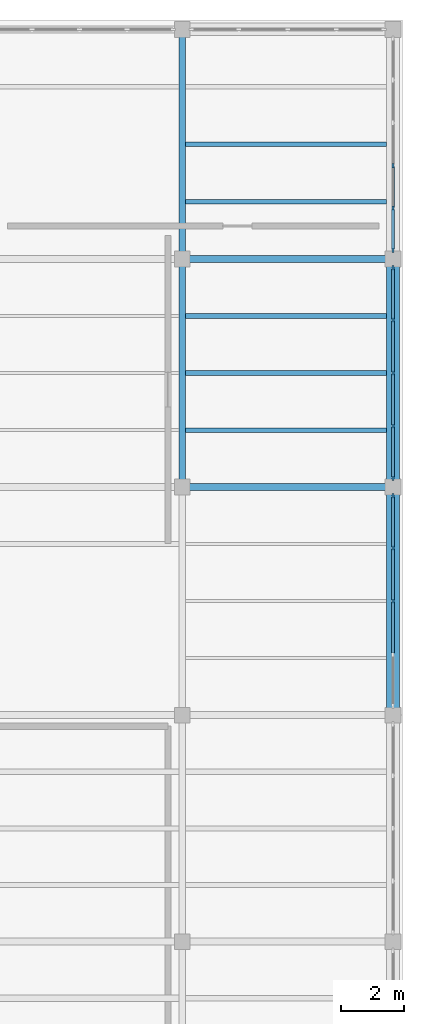
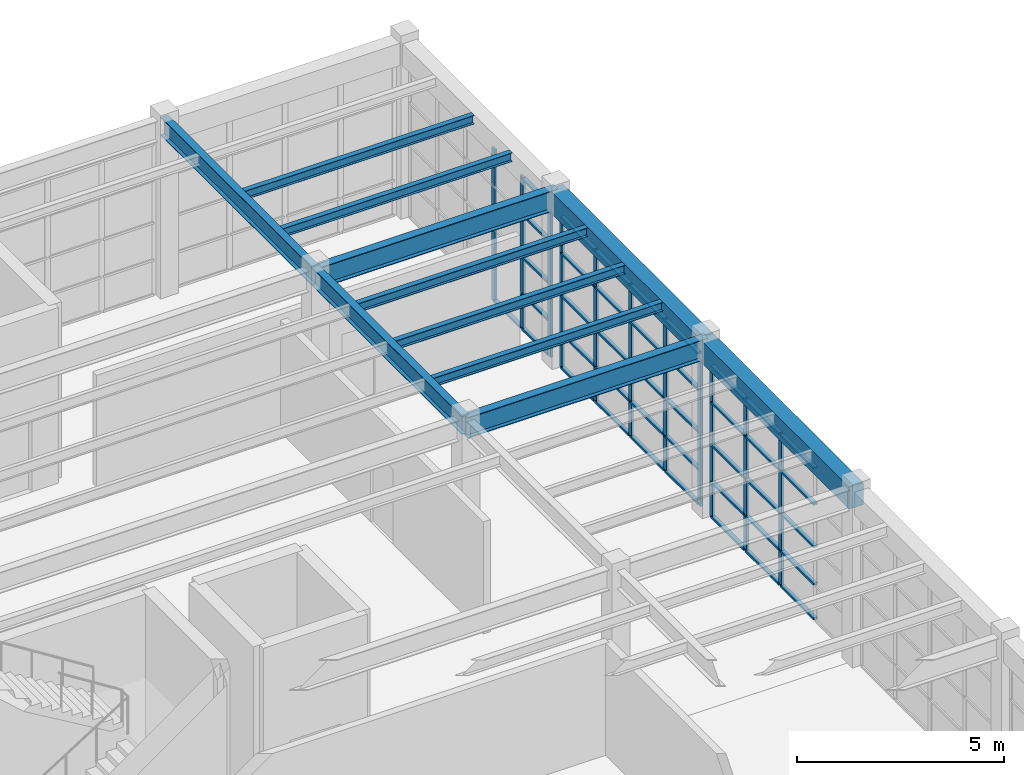
# One storey, part 59 of 103: 52 members, 11 beams, 3 elements without a shape of their own.
"""IFC4 building model written with IfcOpenShell, lengths in metres."""

from ifc_helpers import new_model, si_unit, direction, frame, origin, origin_2d, place, context, subcontext, project, spatial, rectangle, i_section, extrude, material, layer, layer_set, material_profile, profile_set, type_object, element, aggregate, save


model = new_model("IFC4")

# Units and contexts
model_context = context("Model", 3, precision=1e-05, world=origin(), true_north=direction((0.0, 1.0)))
body_context = subcontext(model_context, "Body", "Model", "MODEL_VIEW")
ifc_project = project(units=[si_unit("LENGTHUNIT", "METRE"), si_unit("AREAUNIT", "SQUARE_METRE"), si_unit("VOLUMEUNIT", "CUBIC_METRE"), si_unit("PLANEANGLEUNIT", "RADIAN"), si_unit("MASSUNIT", "GRAM", prefix="KILO")], contexts=[model_context])

# Site, building, storey
site_placement = place(None, origin())
site = spatial("IfcSite", under=ifc_project, at=site_placement, CompositionType="ELEMENT")
building_placement = place(site_placement, origin())
building = spatial("IfcBuilding", under=site, at=building_placement, Name="Candilejo Ridge Gondola Terminal", CompositionType="ELEMENT")
storey_placement = place(building_placement, frame((0.0, 0.0, 9.0)))
storey = spatial("IfcBuildingStorey", under=building, at=storey_placement, Name="L02", CompositionType="ELEMENT", Elevation=9.0)

# Curtain wall, members
ifc_material_1 = material(Name="Anodised aluminium AA 6063-T6", Category="aluminium")
ifc_layer_1 = layer(ifc_material_1, 0.169921875)
ifc_layer_set_1 = layer_set([ifc_layer_1], Name="ARC-CW-TOWER-3000-675X449")
curtain_wall_type_1 = type_object("IfcCurtainWallType", Name="ARC-CW-TOWER-3000-675X449", PredefinedType="NOTDEFINED", material=ifc_layer_set_1)
curtain_wall_1_placement = place(storey_placement, origin())
curtain_wall_1 = element("IfcCurtainWall", 1, at=curtain_wall_1_placement, inside=storey, type_object=curtain_wall_type_1, Name="Curtain wall V5 L02-187", PredefinedType="NOTDEFINED")
ifc_material_2 = material(Name="Anodised aluminium AA 6063-T6", Category="aluminium")
ifc_material_profile_1 = material_profile(ifc_material_2, rectangle(XDim=0.06494140625, YDim=0.14990234375, at=origin_2d()))
ifc_profile_set_1 = profile_set([ifc_material_profile_1], Name="Anodised aluminium AA 6063-T6")
member_type_1 = type_object("IfcMemberType", Name="ARC-CW-MULLION-150", PredefinedType="MULLION", material=ifc_profile_set_1)
member_1_placement = place(storey_placement, frame((175.300048828125, 102.675048828125, 0.0), z_axis=(0.0, 0.0, 1.0), x_axis=(-1.0, 0.0, 0.0)))
member_1 = element("IfcMember", 2, at=member_1_placement, type_object=member_type_1, Name="CW-67X44 mullion 3", PredefinedType="MULLION", context=body_context, shape_type="SweptSolid", body=[
    extrude(rectangle(XDim=0.06494140625, YDim=0.14990234375, at=origin_2d()), origin(), (0.0, 0.0, 1.0), 4.489990234375),
])
member_2_placement = place(storey_placement, frame((175.300048828125, 104.362548828125, 0.0), z_axis=(0.0, 0.0, 1.0), x_axis=(-1.0, 0.0, 0.0)))
member_2 = element("IfcMember", 3, at=member_2_placement, type_object=member_type_1, Name="CW-67X44 mullion 4", PredefinedType="MULLION", context=body_context, shape_type="SweptSolid", body=[
    extrude(rectangle(XDim=0.06494140625, YDim=0.14990234375, at=origin_2d()), origin(), (0.0, 0.0, 1.0), 4.489990234375),
])
member_3_placement = place(storey_placement, frame((175.300048828125, 106.017578125, 0.0), z_axis=(0.0, 0.0, 1.0), x_axis=(-1.0, 0.0, 0.0)))
member_3 = element("IfcMember", 4, at=member_3_placement, type_object=member_type_1, Name="CW-67X44 mullion 5", PredefinedType="MULLION", context=body_context, shape_type="SweptSolid", body=[
    extrude(rectangle(XDim=0.06494140625, YDim=0.14990234375, at=origin_2d()), origin(), (0.0, 0.0, 1.0), 4.489990234375),
])

curtain_wall_2_placement = place(storey_placement, origin())
curtain_wall_2 = element("IfcCurtainWall", 5, at=curtain_wall_2_placement, inside=storey, type_object=curtain_wall_type_1, Name="Curtain wall V5 L02-189", PredefinedType="NOTDEFINED")
member_4_placement = place(storey_placement, frame((175.300048828125, 106.58251953125, 0.0), z_axis=(0.0, 0.0, 1.0), x_axis=(-1.0, 0.0, 0.0)))
member_4 = element("IfcMember", 6, at=member_4_placement, type_object=member_type_1, Name="CW-67X44 mullion 1", PredefinedType="MULLION", context=body_context, shape_type="SweptSolid", body=[
    extrude(rectangle(XDim=0.06494140625, YDim=0.14990234375, at=origin_2d()), origin(), (0.0, 0.0, 1.0), 4.489990234375),
])
member_5_placement = place(storey_placement, frame((175.300048828125, 108.237548828125, 0.0), z_axis=(0.0, 0.0, 1.0), x_axis=(-1.0, 0.0, 0.0)))
member_5 = element("IfcMember", 7, at=member_5_placement, type_object=member_type_1, Name="CW-67X44 mullion 2", PredefinedType="MULLION", context=body_context, shape_type="SweptSolid", body=[
    extrude(rectangle(XDim=0.06494140625, YDim=0.14990234375, at=origin_2d()), origin(), (0.0, 0.0, 1.0), 4.489990234375),
])
member_6_placement = place(storey_placement, frame((175.300048828125, 109.925048828125, 0.0), z_axis=(0.0, 0.0, 1.0), x_axis=(-1.0, 0.0, 0.0)))
member_6 = element("IfcMember", 8, at=member_6_placement, type_object=member_type_1, Name="CW-67X44 mullion 3", PredefinedType="MULLION", context=body_context, shape_type="SweptSolid", body=[
    extrude(rectangle(XDim=0.06494140625, YDim=0.14990234375, at=origin_2d()), origin(), (0.0, 0.0, 1.0), 4.489990234375),
])
member_7_placement = place(storey_placement, frame((175.300048828125, 111.612548828125, 0.0), z_axis=(0.0, 0.0, 1.0), x_axis=(-1.0, 0.0, 0.0)))
member_7 = element("IfcMember", 9, at=member_7_placement, type_object=member_type_1, Name="CW-67X44 mullion 4", PredefinedType="MULLION", context=body_context, shape_type="SweptSolid", body=[
    extrude(rectangle(XDim=0.06494140625, YDim=0.14990234375, at=origin_2d()), origin(), (0.0, 0.0, 1.0), 4.489990234375),
])
member_8_placement = place(storey_placement, frame((175.300048828125, 113.267578125, 0.0), z_axis=(0.0, 0.0, 1.0), x_axis=(-1.0, 0.0, 0.0)))
member_8 = element("IfcMember", 10, at=member_8_placement, type_object=member_type_1, Name="CW-67X44 mullion 5", PredefinedType="MULLION", context=body_context, shape_type="SweptSolid", body=[
    extrude(rectangle(XDim=0.06494140625, YDim=0.14990234375, at=origin_2d()), origin(), (0.0, 0.0, 1.0), 4.489990234375),
])

ifc_material_3 = material(Name="Anodised aluminium AA 6063-T6", Category="aluminium")
ifc_layer_2 = layer(ifc_material_3, 0.169921875)
ifc_layer_set_2 = layer_set([ifc_layer_2], Name="ARC-CW-TOWER-3000-680X449")
curtain_wall_type_2 = type_object("IfcCurtainWallType", Name="ARC-CW-TOWER-3000-680X449", PredefinedType="NOTDEFINED", material=ifc_layer_set_2)
curtain_wall_3_placement = place(storey_placement, origin())
curtain_wall_3 = element("IfcCurtainWall", 11, at=curtain_wall_3_placement, inside=storey, type_object=curtain_wall_type_2, Name="Curtain wall V5 L02-191", PredefinedType="NOTDEFINED")
member_9_placement = place(storey_placement, frame((175.300048828125, 113.83251953125, 0.0), z_axis=(0.0, 0.0, 1.0), x_axis=(-1.0, 0.0, 0.0)))
member_9 = element("IfcMember", 12, at=member_9_placement, type_object=member_type_1, Name="CW-68X44 mullion 1", PredefinedType="MULLION", context=body_context, shape_type="SweptSolid", body=[
    extrude(rectangle(XDim=0.06494140625, YDim=0.14990234375, at=origin_2d()), origin(), (0.0, 0.0, 1.0), 4.489990234375),
])
member_10_placement = place(storey_placement, frame((175.300048828125, 115.159912109375, 0.0), z_axis=(0.0, 0.0, 1.0), x_axis=(-1.0, 0.0, 0.0)))
member_10 = element("IfcMember", 13, at=member_10_placement, type_object=member_type_1, Name="CW-68X44 mullion 2", PredefinedType="MULLION", context=body_context, shape_type="SweptSolid", body=[
    extrude(rectangle(XDim=0.06494140625, YDim=0.14990234375, at=origin_2d()), origin(), (0.0, 0.0, 1.0), 4.489990234375),
])
member_11_placement = place(storey_placement, frame((175.300048828125, 116.52001953125, 0.0), z_axis=(0.0, 0.0, 1.0), x_axis=(-1.0, 0.0, 0.0)))
member_11 = element("IfcMember", 14, at=member_11_placement, type_object=member_type_1, Name="CW-68X44 mullion 3", PredefinedType="MULLION", context=body_context, shape_type="SweptSolid", body=[
    extrude(rectangle(XDim=0.06494140625, YDim=0.14990234375, at=origin_2d()), origin(), (0.0, 0.0, 1.0), 4.489990234375),
])

# Member
ifc_material_4 = material(Name="Anodised aluminium AA 6063-T6", Category="aluminium")
ifc_material_profile_2 = material_profile(ifc_material_4, rectangle(XDim=0.110107421875, YDim=0.06005859375, at=origin_2d()))
ifc_profile_set_2 = profile_set([ifc_material_profile_2], Name="Anodised aluminium AA 6063-T6")
member_type_2 = type_object("IfcMemberType", Name="ARC-CW-TRANSOM-110", PredefinedType="USERDEFINED", material=ifc_profile_set_2)
member_12_placement = place(storey_placement, frame((175.300048828125, 101.02001953125, 0.030029296875), z_axis=(0.0, 1.0, 0.0), x_axis=(-1.0, 0.0, 0.0)))
member_12 = element("IfcMember", 15, at=member_12_placement, type_object=member_type_2, Name="CW-67X44 transom 2.1", ObjectType="TRANSOM", PredefinedType="USERDEFINED", context=body_context, shape_type="SweptSolid", body=[
    extrude(rectangle(XDim=0.110107421875, YDim=0.06005859375, at=origin_2d()), origin(), (0.0, 0.0, 1.0), 1.62255859375),
])

member_13_placement = place(storey_placement, frame((175.300048828125, 101.02001953125, 1.050048828125), z_axis=(0.0, 1.0, 0.0), x_axis=(-1.0, 0.0, 0.0)))
member_13 = element("IfcMember", 16, at=member_13_placement, type_object=member_type_2, Name="CW-67X44 transom 2.2", ObjectType="TRANSOM", PredefinedType="USERDEFINED", context=body_context, shape_type="SweptSolid", body=[
    extrude(rectangle(XDim=0.110107421875, YDim=0.06005859375, at=origin_2d()), origin(), (0.0, 0.0, 1.0), 1.62255859375),
])

member_14_placement = place(storey_placement, frame((175.300048828125, 101.02001953125, 2.14990234375), z_axis=(0.0, 1.0, 0.0), x_axis=(-1.0, 0.0, 0.0)))
member_14 = element("IfcMember", 17, at=member_14_placement, type_object=member_type_2, Name="CW-67X44 transom 2.3", ObjectType="TRANSOM", PredefinedType="USERDEFINED", context=body_context, shape_type="SweptSolid", body=[
    extrude(rectangle(XDim=0.110107421875, YDim=0.06005859375, at=origin_2d()), origin(), (0.0, 0.0, 1.0), 1.62255859375),
])

member_15_placement = place(storey_placement, frame((175.300048828125, 101.02001953125, 3.39990234375), z_axis=(0.0, 1.0, 0.0), x_axis=(-1.0, 0.0, 0.0)))
member_15 = element("IfcMember", 18, at=member_15_placement, type_object=member_type_2, Name="CW-67X44 transom 2.4", ObjectType="TRANSOM", PredefinedType="USERDEFINED", context=body_context, shape_type="SweptSolid", body=[
    extrude(rectangle(XDim=0.110107421875, YDim=0.06005859375, at=origin_2d()), origin(), (0.0, 0.0, 1.0), 1.62255859375),
])

member_16_placement = place(storey_placement, frame((175.300048828125, 101.02001953125, 4.4599609375), z_axis=(0.0, 1.0, 0.0), x_axis=(-1.0, 0.0, 0.0)))
member_16 = element("IfcMember", 19, at=member_16_placement, type_object=member_type_2, Name="CW-67X44 transom 2.5", ObjectType="TRANSOM", PredefinedType="USERDEFINED", context=body_context, shape_type="SweptSolid", body=[
    extrude(rectangle(XDim=0.110107421875, YDim=0.06005859375, at=origin_2d()), origin(), (0.0, 0.0, 1.0), 1.62255859375),
])

member_17_placement = place(storey_placement, frame((175.300048828125, 102.70751953125, 0.030029296875), z_axis=(0.0, 1.0, 0.0), x_axis=(-1.0, 0.0, 0.0)))
member_17 = element("IfcMember", 20, at=member_17_placement, type_object=member_type_2, Name="CW-67X44 transom 3.1", ObjectType="TRANSOM", PredefinedType="USERDEFINED", context=body_context, shape_type="SweptSolid", body=[
    extrude(rectangle(XDim=0.110107421875, YDim=0.06005859375, at=origin_2d()), origin(), (0.0, 0.0, 1.0), 1.62255859375),
])

member_18_placement = place(storey_placement, frame((175.300048828125, 102.70751953125, 1.050048828125), z_axis=(0.0, 1.0, 0.0), x_axis=(-1.0, 0.0, 0.0)))
member_18 = element("IfcMember", 21, at=member_18_placement, type_object=member_type_2, Name="CW-67X44 transom 3.2", ObjectType="TRANSOM", PredefinedType="USERDEFINED", context=body_context, shape_type="SweptSolid", body=[
    extrude(rectangle(XDim=0.110107421875, YDim=0.06005859375, at=origin_2d()), origin(), (0.0, 0.0, 1.0), 1.62255859375),
])

member_19_placement = place(storey_placement, frame((175.300048828125, 102.70751953125, 2.14990234375), z_axis=(0.0, 1.0, 0.0), x_axis=(-1.0, 0.0, 0.0)))
member_19 = element("IfcMember", 22, at=member_19_placement, type_object=member_type_2, Name="CW-67X44 transom 3.3", ObjectType="TRANSOM", PredefinedType="USERDEFINED", context=body_context, shape_type="SweptSolid", body=[
    extrude(rectangle(XDim=0.110107421875, YDim=0.06005859375, at=origin_2d()), origin(), (0.0, 0.0, 1.0), 1.62255859375),
])

member_20_placement = place(storey_placement, frame((175.300048828125, 102.70751953125, 3.39990234375), z_axis=(0.0, 1.0, 0.0), x_axis=(-1.0, 0.0, 0.0)))
member_20 = element("IfcMember", 23, at=member_20_placement, type_object=member_type_2, Name="CW-67X44 transom 3.4", ObjectType="TRANSOM", PredefinedType="USERDEFINED", context=body_context, shape_type="SweptSolid", body=[
    extrude(rectangle(XDim=0.110107421875, YDim=0.06005859375, at=origin_2d()), origin(), (0.0, 0.0, 1.0), 1.62255859375),
])

member_21_placement = place(storey_placement, frame((175.300048828125, 102.70751953125, 4.4599609375), z_axis=(0.0, 1.0, 0.0), x_axis=(-1.0, 0.0, 0.0)))
member_21 = element("IfcMember", 24, at=member_21_placement, type_object=member_type_2, Name="CW-67X44 transom 3.5", ObjectType="TRANSOM", PredefinedType="USERDEFINED", context=body_context, shape_type="SweptSolid", body=[
    extrude(rectangle(XDim=0.110107421875, YDim=0.06005859375, at=origin_2d()), origin(), (0.0, 0.0, 1.0), 1.62255859375),
])

member_22_placement = place(storey_placement, frame((175.300048828125, 104.39501953125, 0.030029296875), z_axis=(0.0, 1.0, 0.0), x_axis=(-1.0, 0.0, 0.0)))
member_22 = element("IfcMember", 25, at=member_22_placement, type_object=member_type_2, Name="CW-67X44 transom 4.1", ObjectType="TRANSOM", PredefinedType="USERDEFINED", context=body_context, shape_type="SweptSolid", body=[
    extrude(rectangle(XDim=0.110107421875, YDim=0.06005859375, at=origin_2d()), origin(), (0.0, 0.0, 1.0), 1.590087890625),
])

member_23_placement = place(storey_placement, frame((175.300048828125, 104.39501953125, 1.050048828125), z_axis=(0.0, 1.0, 0.0), x_axis=(-1.0, 0.0, 0.0)))
member_23 = element("IfcMember", 26, at=member_23_placement, type_object=member_type_2, Name="CW-67X44 transom 4.2", ObjectType="TRANSOM", PredefinedType="USERDEFINED", context=body_context, shape_type="SweptSolid", body=[
    extrude(rectangle(XDim=0.110107421875, YDim=0.06005859375, at=origin_2d()), origin(), (0.0, 0.0, 1.0), 1.590087890625),
])

member_24_placement = place(storey_placement, frame((175.300048828125, 104.39501953125, 2.14990234375), z_axis=(0.0, 1.0, 0.0), x_axis=(-1.0, 0.0, 0.0)))
member_24 = element("IfcMember", 27, at=member_24_placement, type_object=member_type_2, Name="CW-67X44 transom 4.3", ObjectType="TRANSOM", PredefinedType="USERDEFINED", context=body_context, shape_type="SweptSolid", body=[
    extrude(rectangle(XDim=0.110107421875, YDim=0.06005859375, at=origin_2d()), origin(), (0.0, 0.0, 1.0), 1.590087890625),
])

member_25_placement = place(storey_placement, frame((175.300048828125, 104.39501953125, 3.39990234375), z_axis=(0.0, 1.0, 0.0), x_axis=(-1.0, 0.0, 0.0)))
member_25 = element("IfcMember", 28, at=member_25_placement, type_object=member_type_2, Name="CW-67X44 transom 4.4", ObjectType="TRANSOM", PredefinedType="USERDEFINED", context=body_context, shape_type="SweptSolid", body=[
    extrude(rectangle(XDim=0.110107421875, YDim=0.06005859375, at=origin_2d()), origin(), (0.0, 0.0, 1.0), 1.590087890625),
])

member_26_placement = place(storey_placement, frame((175.300048828125, 104.39501953125, 4.4599609375), z_axis=(0.0, 1.0, 0.0), x_axis=(-1.0, 0.0, 0.0)))
member_26 = element("IfcMember", 29, at=member_26_placement, type_object=member_type_2, Name="CW-67X44 transom 4.5", ObjectType="TRANSOM", PredefinedType="USERDEFINED", context=body_context, shape_type="SweptSolid", body=[
    extrude(rectangle(XDim=0.110107421875, YDim=0.06005859375, at=origin_2d()), origin(), (0.0, 0.0, 1.0), 1.590087890625),
])

aggregate(curtain_wall_1, [member_1, member_2, member_3, member_12, member_13, member_14, member_15, member_16, member_17, member_18, member_19, member_20, member_21, member_22, member_23, member_24, member_25, member_26])

member_27_placement = place(storey_placement, frame((175.300048828125, 106.614990234375, 0.030029296875), z_axis=(0.0, 1.0, 0.0), x_axis=(-1.0, 0.0, 0.0)))
member_27 = element("IfcMember", 30, at=member_27_placement, type_object=member_type_2, Name="CW-67X44 transom 1.1", ObjectType="TRANSOM", PredefinedType="USERDEFINED", context=body_context, shape_type="SweptSolid", body=[
    extrude(rectangle(XDim=0.110107421875, YDim=0.06005859375, at=origin_2d()), origin(), (0.0, 0.0, 1.0), 1.590087890625),
])

member_28_placement = place(storey_placement, frame((175.300048828125, 106.614990234375, 1.050048828125), z_axis=(0.0, 1.0, 0.0), x_axis=(-1.0, 0.0, 0.0)))
member_28 = element("IfcMember", 31, at=member_28_placement, type_object=member_type_2, Name="CW-67X44 transom 1.2", ObjectType="TRANSOM", PredefinedType="USERDEFINED", context=body_context, shape_type="SweptSolid", body=[
    extrude(rectangle(XDim=0.110107421875, YDim=0.06005859375, at=origin_2d()), origin(), (0.0, 0.0, 1.0), 1.590087890625),
])

member_29_placement = place(storey_placement, frame((175.300048828125, 106.614990234375, 2.14990234375), z_axis=(0.0, 1.0, 0.0), x_axis=(-1.0, 0.0, 0.0)))
member_29 = element("IfcMember", 32, at=member_29_placement, type_object=member_type_2, Name="CW-67X44 transom 1.3", ObjectType="TRANSOM", PredefinedType="USERDEFINED", context=body_context, shape_type="SweptSolid", body=[
    extrude(rectangle(XDim=0.110107421875, YDim=0.06005859375, at=origin_2d()), origin(), (0.0, 0.0, 1.0), 1.590087890625),
])

member_30_placement = place(storey_placement, frame((175.300048828125, 106.614990234375, 3.39990234375), z_axis=(0.0, 1.0, 0.0), x_axis=(-1.0, 0.0, 0.0)))
member_30 = element("IfcMember", 33, at=member_30_placement, type_object=member_type_2, Name="CW-67X44 transom 1.4", ObjectType="TRANSOM", PredefinedType="USERDEFINED", context=body_context, shape_type="SweptSolid", body=[
    extrude(rectangle(XDim=0.110107421875, YDim=0.06005859375, at=origin_2d()), origin(), (0.0, 0.0, 1.0), 1.590087890625),
])

member_31_placement = place(storey_placement, frame((175.300048828125, 106.614990234375, 4.4599609375), z_axis=(0.0, 1.0, 0.0), x_axis=(-1.0, 0.0, 0.0)))
member_31 = element("IfcMember", 34, at=member_31_placement, type_object=member_type_2, Name="CW-67X44 transom 1.5", ObjectType="TRANSOM", PredefinedType="USERDEFINED", context=body_context, shape_type="SweptSolid", body=[
    extrude(rectangle(XDim=0.110107421875, YDim=0.06005859375, at=origin_2d()), origin(), (0.0, 0.0, 1.0), 1.590087890625),
])

member_32_placement = place(storey_placement, frame((175.300048828125, 108.27001953125, 0.030029296875), z_axis=(0.0, 1.0, 0.0), x_axis=(-1.0, 0.0, 0.0)))
member_32 = element("IfcMember", 35, at=member_32_placement, type_object=member_type_2, Name="CW-67X44 transom 2.1", ObjectType="TRANSOM", PredefinedType="USERDEFINED", context=body_context, shape_type="SweptSolid", body=[
    extrude(rectangle(XDim=0.110107421875, YDim=0.06005859375, at=origin_2d()), origin(), (0.0, 0.0, 1.0), 1.62255859375),
])

member_33_placement = place(storey_placement, frame((175.300048828125, 108.27001953125, 1.050048828125), z_axis=(0.0, 1.0, 0.0), x_axis=(-1.0, 0.0, 0.0)))
member_33 = element("IfcMember", 36, at=member_33_placement, type_object=member_type_2, Name="CW-67X44 transom 2.2", ObjectType="TRANSOM", PredefinedType="USERDEFINED", context=body_context, shape_type="SweptSolid", body=[
    extrude(rectangle(XDim=0.110107421875, YDim=0.06005859375, at=origin_2d()), origin(), (0.0, 0.0, 1.0), 1.62255859375),
])

member_34_placement = place(storey_placement, frame((175.300048828125, 108.27001953125, 2.14990234375), z_axis=(0.0, 1.0, 0.0), x_axis=(-1.0, 0.0, 0.0)))
member_34 = element("IfcMember", 37, at=member_34_placement, type_object=member_type_2, Name="CW-67X44 transom 2.3", ObjectType="TRANSOM", PredefinedType="USERDEFINED", context=body_context, shape_type="SweptSolid", body=[
    extrude(rectangle(XDim=0.110107421875, YDim=0.06005859375, at=origin_2d()), origin(), (0.0, 0.0, 1.0), 1.62255859375),
])

member_35_placement = place(storey_placement, frame((175.300048828125, 108.27001953125, 3.39990234375), z_axis=(0.0, 1.0, 0.0), x_axis=(-1.0, 0.0, 0.0)))
member_35 = element("IfcMember", 38, at=member_35_placement, type_object=member_type_2, Name="CW-67X44 transom 2.4", ObjectType="TRANSOM", PredefinedType="USERDEFINED", context=body_context, shape_type="SweptSolid", body=[
    extrude(rectangle(XDim=0.110107421875, YDim=0.06005859375, at=origin_2d()), origin(), (0.0, 0.0, 1.0), 1.62255859375),
])

member_36_placement = place(storey_placement, frame((175.300048828125, 108.27001953125, 4.4599609375), z_axis=(0.0, 1.0, 0.0), x_axis=(-1.0, 0.0, 0.0)))
member_36 = element("IfcMember", 39, at=member_36_placement, type_object=member_type_2, Name="CW-67X44 transom 2.5", ObjectType="TRANSOM", PredefinedType="USERDEFINED", context=body_context, shape_type="SweptSolid", body=[
    extrude(rectangle(XDim=0.110107421875, YDim=0.06005859375, at=origin_2d()), origin(), (0.0, 0.0, 1.0), 1.62255859375),
])

member_37_placement = place(storey_placement, frame((175.300048828125, 109.95751953125, 0.030029296875), z_axis=(0.0, 1.0, 0.0), x_axis=(-1.0, 0.0, 0.0)))
member_37 = element("IfcMember", 40, at=member_37_placement, type_object=member_type_2, Name="CW-67X44 transom 3.1", ObjectType="TRANSOM", PredefinedType="USERDEFINED", context=body_context, shape_type="SweptSolid", body=[
    extrude(rectangle(XDim=0.110107421875, YDim=0.06005859375, at=origin_2d()), origin(), (0.0, 0.0, 1.0), 1.62255859375),
])

member_38_placement = place(storey_placement, frame((175.300048828125, 109.95751953125, 1.050048828125), z_axis=(0.0, 1.0, 0.0), x_axis=(-1.0, 0.0, 0.0)))
member_38 = element("IfcMember", 41, at=member_38_placement, type_object=member_type_2, Name="CW-67X44 transom 3.2", ObjectType="TRANSOM", PredefinedType="USERDEFINED", context=body_context, shape_type="SweptSolid", body=[
    extrude(rectangle(XDim=0.110107421875, YDim=0.06005859375, at=origin_2d()), origin(), (0.0, 0.0, 1.0), 1.62255859375),
])

member_39_placement = place(storey_placement, frame((175.300048828125, 109.95751953125, 2.14990234375), z_axis=(0.0, 1.0, 0.0), x_axis=(-1.0, 0.0, 0.0)))
member_39 = element("IfcMember", 42, at=member_39_placement, type_object=member_type_2, Name="CW-67X44 transom 3.3", ObjectType="TRANSOM", PredefinedType="USERDEFINED", context=body_context, shape_type="SweptSolid", body=[
    extrude(rectangle(XDim=0.110107421875, YDim=0.06005859375, at=origin_2d()), origin(), (0.0, 0.0, 1.0), 1.62255859375),
])

member_40_placement = place(storey_placement, frame((175.300048828125, 109.95751953125, 3.39990234375), z_axis=(0.0, 1.0, 0.0), x_axis=(-1.0, 0.0, 0.0)))
member_40 = element("IfcMember", 43, at=member_40_placement, type_object=member_type_2, Name="CW-67X44 transom 3.4", ObjectType="TRANSOM", PredefinedType="USERDEFINED", context=body_context, shape_type="SweptSolid", body=[
    extrude(rectangle(XDim=0.110107421875, YDim=0.06005859375, at=origin_2d()), origin(), (0.0, 0.0, 1.0), 1.62255859375),
])

member_41_placement = place(storey_placement, frame((175.300048828125, 109.95751953125, 4.4599609375), z_axis=(0.0, 1.0, 0.0), x_axis=(-1.0, 0.0, 0.0)))
member_41 = element("IfcMember", 44, at=member_41_placement, type_object=member_type_2, Name="CW-67X44 transom 3.5", ObjectType="TRANSOM", PredefinedType="USERDEFINED", context=body_context, shape_type="SweptSolid", body=[
    extrude(rectangle(XDim=0.110107421875, YDim=0.06005859375, at=origin_2d()), origin(), (0.0, 0.0, 1.0), 1.62255859375),
])

member_42_placement = place(storey_placement, frame((175.300048828125, 111.64501953125, 0.030029296875), z_axis=(0.0, 1.0, 0.0), x_axis=(-1.0, 0.0, 0.0)))
member_42 = element("IfcMember", 45, at=member_42_placement, type_object=member_type_2, Name="CW-67X44 transom 4.1", ObjectType="TRANSOM", PredefinedType="USERDEFINED", context=body_context, shape_type="SweptSolid", body=[
    extrude(rectangle(XDim=0.110107421875, YDim=0.06005859375, at=origin_2d()), origin(), (0.0, 0.0, 1.0), 1.590087890625),
])

member_43_placement = place(storey_placement, frame((175.300048828125, 111.64501953125, 1.050048828125), z_axis=(0.0, 1.0, 0.0), x_axis=(-1.0, 0.0, 0.0)))
member_43 = element("IfcMember", 46, at=member_43_placement, type_object=member_type_2, Name="CW-67X44 transom 4.2", ObjectType="TRANSOM", PredefinedType="USERDEFINED", context=body_context, shape_type="SweptSolid", body=[
    extrude(rectangle(XDim=0.110107421875, YDim=0.06005859375, at=origin_2d()), origin(), (0.0, 0.0, 1.0), 1.590087890625),
])

member_44_placement = place(storey_placement, frame((175.300048828125, 111.64501953125, 2.14990234375), z_axis=(0.0, 1.0, 0.0), x_axis=(-1.0, 0.0, 0.0)))
member_44 = element("IfcMember", 47, at=member_44_placement, type_object=member_type_2, Name="CW-67X44 transom 4.3", ObjectType="TRANSOM", PredefinedType="USERDEFINED", context=body_context, shape_type="SweptSolid", body=[
    extrude(rectangle(XDim=0.110107421875, YDim=0.06005859375, at=origin_2d()), origin(), (0.0, 0.0, 1.0), 1.590087890625),
])

member_45_placement = place(storey_placement, frame((175.300048828125, 111.64501953125, 3.39990234375), z_axis=(0.0, 1.0, 0.0), x_axis=(-1.0, 0.0, 0.0)))
member_45 = element("IfcMember", 48, at=member_45_placement, type_object=member_type_2, Name="CW-67X44 transom 4.4", ObjectType="TRANSOM", PredefinedType="USERDEFINED", context=body_context, shape_type="SweptSolid", body=[
    extrude(rectangle(XDim=0.110107421875, YDim=0.06005859375, at=origin_2d()), origin(), (0.0, 0.0, 1.0), 1.590087890625),
])

member_46_placement = place(storey_placement, frame((175.300048828125, 111.64501953125, 4.4599609375), z_axis=(0.0, 1.0, 0.0), x_axis=(-1.0, 0.0, 0.0)))
member_46 = element("IfcMember", 49, at=member_46_placement, type_object=member_type_2, Name="CW-67X44 transom 4.5", ObjectType="TRANSOM", PredefinedType="USERDEFINED", context=body_context, shape_type="SweptSolid", body=[
    extrude(rectangle(XDim=0.110107421875, YDim=0.06005859375, at=origin_2d()), origin(), (0.0, 0.0, 1.0), 1.590087890625),
])

aggregate(curtain_wall_2, [member_4, member_5, member_6, member_7, member_8, member_27, member_28, member_29, member_30, member_31, member_32, member_33, member_34, member_35, member_36, member_37, member_38, member_39, member_40, member_41, member_42, member_43, member_44, member_45, member_46])

member_47_placement = place(storey_placement, frame((175.300048828125, 113.864990234375, 0.030029296875), z_axis=(0.0, 1.0, 0.0), x_axis=(-1.0, 0.0, 0.0)))
member_47 = element("IfcMember", 50, at=member_47_placement, type_object=member_type_2, Name="CW-68X44 transom 1.1", ObjectType="TRANSOM", PredefinedType="USERDEFINED", context=body_context, shape_type="SweptSolid", body=[
    extrude(rectangle(XDim=0.110107421875, YDim=0.06005859375, at=origin_2d()), origin(), (0.0, 0.0, 1.0), 1.262451171875),
])

member_48_placement = place(storey_placement, frame((175.300048828125, 113.864990234375, 1.050048828125), z_axis=(0.0, 1.0, 0.0), x_axis=(-1.0, 0.0, 0.0)))
member_48 = element("IfcMember", 51, at=member_48_placement, type_object=member_type_2, Name="CW-68X44 transom 1.2", ObjectType="TRANSOM", PredefinedType="USERDEFINED", context=body_context, shape_type="SweptSolid", body=[
    extrude(rectangle(XDim=0.110107421875, YDim=0.06005859375, at=origin_2d()), origin(), (0.0, 0.0, 1.0), 1.262451171875),
])

member_49_placement = place(storey_placement, frame((175.300048828125, 113.864990234375, 2.14990234375), z_axis=(0.0, 1.0, 0.0), x_axis=(-1.0, 0.0, 0.0)))
member_49 = element("IfcMember", 52, at=member_49_placement, type_object=member_type_2, Name="CW-68X44 transom 1.3", ObjectType="TRANSOM", PredefinedType="USERDEFINED", context=body_context, shape_type="SweptSolid", body=[
    extrude(rectangle(XDim=0.110107421875, YDim=0.06005859375, at=origin_2d()), origin(), (0.0, 0.0, 1.0), 1.262451171875),
])

member_50_placement = place(storey_placement, frame((175.300048828125, 113.864990234375, 3.39990234375), z_axis=(0.0, 1.0, 0.0), x_axis=(-1.0, 0.0, 0.0)))
member_50 = element("IfcMember", 53, at=member_50_placement, type_object=member_type_2, Name="CW-68X44 transom 1.4", ObjectType="TRANSOM", PredefinedType="USERDEFINED", context=body_context, shape_type="SweptSolid", body=[
    extrude(rectangle(XDim=0.110107421875, YDim=0.06005859375, at=origin_2d()), origin(), (0.0, 0.0, 1.0), 1.262451171875),
])

member_51_placement = place(storey_placement, frame((175.300048828125, 113.864990234375, 4.4599609375), z_axis=(0.0, 1.0, 0.0), x_axis=(-1.0, 0.0, 0.0)))
member_51 = element("IfcMember", 54, at=member_51_placement, type_object=member_type_2, Name="CW-68X44 transom 1.5", ObjectType="TRANSOM", PredefinedType="USERDEFINED", context=body_context, shape_type="SweptSolid", body=[
    extrude(rectangle(XDim=0.110107421875, YDim=0.06005859375, at=origin_2d()), origin(), (0.0, 0.0, 1.0), 1.262451171875),
])

member_52_placement = place(storey_placement, frame((175.300048828125, 115.1923828125, 0.030029296875), z_axis=(0.0, 1.0, 0.0), x_axis=(-1.0, 0.0, 0.0)))
member_52 = element("IfcMember", 55, at=member_52_placement, type_object=member_type_2, Name="CW-68X44 transom 2.1", ObjectType="TRANSOM", PredefinedType="USERDEFINED", context=body_context, shape_type="SweptSolid", body=[
    extrude(rectangle(XDim=0.110107421875, YDim=0.06005859375, at=origin_2d()), origin(), (0.0, 0.0, 1.0), 1.295166015625),
])

aggregate(curtain_wall_3, [member_9, member_10, member_11, member_47, member_48, member_49, member_50, member_51, member_52])

# Beams
ifc_material_5 = material(Name="Steel ASTM A992 Grade 50", Category="steel")
ifc_material_profile_3 = material_profile(ifc_material_5, i_section(OverallWidth=0.208984375, OverallDepth=0.532958984375, WebThickness=0.01025390625, FlangeThickness=0.015625, at=origin_2d()))
ifc_profile_set_3 = profile_set([ifc_material_profile_3], Name="Steel ASTM A992 Grade 50")
beam_type_1 = type_object("IfcBeamType", Name="STR-BM-W530X92", PredefinedType="BEAM", material=ifc_profile_set_3)
beam_1_placement = place(storey_placement, frame((168.60009765625, 106.300048828125, 4.8935546875), z_axis=(0.0, 1.0, 0.0), x_axis=(-1.0, 0.0, 0.0)))
element("IfcBeam", 56, at=beam_1_placement, inside=storey, type_object=beam_type_1, Name="Beam Y V5 L02 Y18-Y19@X25", PredefinedType="BEAM", context=body_context, shape_type="SweptSolid", body=[
    extrude(i_section(OverallWidth=0.208984375, OverallDepth=0.532958984375, WebThickness=0.01025390625, FlangeThickness=0.015625, at=origin_2d()), origin(), (0.0, 0.0, 1.0), 7.25),
])
beam_2_placement = place(storey_placement, frame((168.60009765625, 113.550048828125, 4.8935546875), z_axis=(0.0, 1.0, 0.0), x_axis=(-1.0, 0.0, 0.0)))
element("IfcBeam", 57, at=beam_2_placement, inside=storey, type_object=beam_type_1, Name="Beam Y V5 L02 Y19-Y20@X25", PredefinedType="BEAM", context=body_context, shape_type="SweptSolid", body=[
    extrude(i_section(OverallWidth=0.208984375, OverallDepth=0.532958984375, WebThickness=0.01025390625, FlangeThickness=0.015625, at=origin_2d()), origin(), (0.0, 0.0, 1.0), 7.300048828125),
])
ifc_material_6 = material(Name="Steel ASTM A992 Grade 50", Category="steel")
ifc_material_profile_4 = material_profile(ifc_material_6, i_section(OverallWidth=0.22900390625, OverallDepth=0.612060546875, WebThickness=0.011962890625, FlangeThickness=0.01953125, at=origin_2d()))
ifc_profile_set_4 = profile_set([ifc_material_profile_4], Name="Steel ASTM A992 Grade 50")
beam_type_2 = type_object("IfcBeamType", Name="STR-BM-W610X125", PredefinedType="BEAM", material=ifc_profile_set_4)
for number, where, z_axis, x_axis, name in (
    (58, (168.60009765625, 106.300048828125, 4.85400390625), (1.0, 0.0, 0.0), (0.0, 1.0, 0.0), "Beam X V5 L02 X25-X27@Y18"),
    (59, (168.60009765625, 113.550048828125, 4.85400390625), (1.0, 0.0, 0.0), (0.0, 1.0, 0.0), "Beam X V5 L02 X25-X27@Y19"),
):
    element("IfcBeam", number, at=place(storey_placement, frame(where, z_axis=z_axis, x_axis=x_axis)), inside=storey, type_object=beam_type_2, Name=name, PredefinedType="BEAM", context=body_context, shape_type="SweptSolid", body=[
        extrude(i_section(OverallWidth=0.22900390625, OverallDepth=0.612060546875, WebThickness=0.011962890625, FlangeThickness=0.01953125, at=origin_2d()), origin(), (0.0, 0.0, 1.0), 6.699951171875),
    ])
ifc_material_7 = material(Name="Steel ASTM A992 Grade 50", Category="steel")
ifc_material_profile_5 = material_profile(ifc_material_7, i_section(OverallWidth=0.14599609375, OverallDepth=0.258056640625, WebThickness=0.006103515625, FlangeThickness=0.009033203125, at=origin_2d()))
ifc_profile_set_5 = profile_set([ifc_material_profile_5], Name="Steel ASTM A992 Grade 50")
beam_type_3 = type_object("IfcBeamType", Name="STR-JST-W250X33", PredefinedType="JOIST", material=ifc_profile_set_5)
for number, where, z_axis, x_axis, name in (
    (60, (168.70458984375, 115.375, 5.031005859375), (1.0, 0.0, 0.0), (0.0, 1.0, 0.0), "Composite joist V5 L02-1341"),
    (61, (168.70458984375, 117.199951171875, 5.031005859375), (1.0, 0.0, 0.0), (0.0, 1.0, 0.0), "Composite joist V5 L02-1342"),
):
    element("IfcBeam", number, at=place(storey_placement, frame(where, z_axis=z_axis, x_axis=x_axis)), inside=storey, type_object=beam_type_3, Name=name, PredefinedType="JOIST", context=body_context, shape_type="SweptSolid", body=[
        extrude(i_section(OverallWidth=0.14599609375, OverallDepth=0.258056640625, WebThickness=0.006103515625, FlangeThickness=0.009033203125, at=origin_2d()), origin(), (0.0, 0.0, 1.0), 6.3955078125),
    ])
ifc_material_8 = material(Name="Steel ASTM A992 Grade 50", Category="steel")
ifc_material_profile_6 = material_profile(ifc_material_8, i_section(OverallWidth=0.14794921875, OverallDepth=0.26611328125, WebThickness=0.007568359375, FlangeThickness=0.012939453125, at=origin_2d()))
ifc_profile_set_6 = profile_set([ifc_material_profile_6], Name="Steel ASTM A992 Grade 50")
beam_type_4 = type_object("IfcBeamType", Name="STR-JST-W250X45", PredefinedType="JOIST", material=ifc_profile_set_6)
for number, where, z_axis, x_axis, name in (
    (62, (168.70458984375, 108.112548828125, 5.027099609375), (1.0, 0.0, 0.0), (0.0, 1.0, 0.0), "Composite joist V5 L02-1338"),
    (63, (168.70458984375, 109.925048828125, 5.027099609375), (1.0, 0.0, 0.0), (0.0, 1.0, 0.0), "Composite joist V5 L02-1339"),
    (64, (168.70458984375, 111.737548828125, 5.027099609375), (1.0, 0.0, 0.0), (0.0, 1.0, 0.0), "Composite joist V5 L02-1340"),
):
    element("IfcBeam", number, at=place(storey_placement, frame(where, z_axis=z_axis, x_axis=x_axis)), inside=storey, type_object=beam_type_4, Name=name, PredefinedType="JOIST", context=body_context, shape_type="SweptSolid", body=[
        extrude(i_section(OverallWidth=0.14794921875, OverallDepth=0.26611328125, WebThickness=0.007568359375, FlangeThickness=0.012939453125, at=origin_2d()), origin(), (0.0, 0.0, 1.0), 6.3955078125),
    ])
ifc_material_9 = material(Name="Concrete f'c 35 MPa (C35/45)", Category="concrete")
ifc_material_profile_7 = material_profile(ifc_material_9, rectangle(XDim=0.39990234375, YDim=0.64990234375, at=origin_2d()))
ifc_profile_set_7 = profile_set([ifc_material_profile_7], Name="Concrete f'c 35 MPa (C35/45)")
beam_type_5 = type_object("IfcBeamType", Name="STR-SPN-RC400X650", PredefinedType="SPANDREL", material=ifc_profile_set_7)
for number, where, z_axis, x_axis, name in (
    (65, (175.300048828125, 99.050048828125, 4.8349609375), (0.0, 1.0, 0.0), (-1.0, 0.0, 0.0), "Beam Y V5 L02 Y17-Y18@X27"),
    (66, (175.300048828125, 106.300048828125, 4.8349609375), (0.0, 1.0, 0.0), (-1.0, 0.0, 0.0), "Beam Y V5 L02 Y18-Y19@X27"),
):
    element("IfcBeam", number, at=place(storey_placement, frame(where, z_axis=z_axis, x_axis=x_axis)), inside=storey, type_object=beam_type_5, Name=name, PredefinedType="SPANDREL", context=body_context, shape_type="SweptSolid", body=[
        extrude(rectangle(XDim=0.39990234375, YDim=0.64990234375, at=origin_2d()), origin(), (0.0, 0.0, 1.0), 7.25),
    ])

save(model, "model.ifc")
